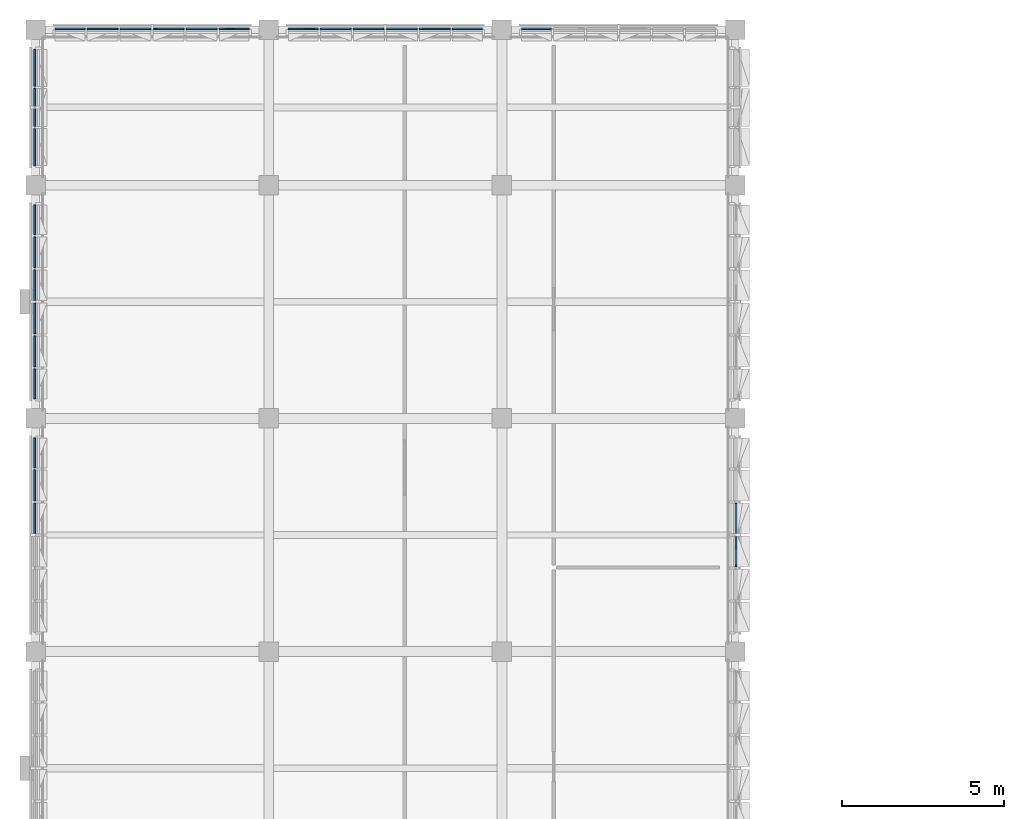
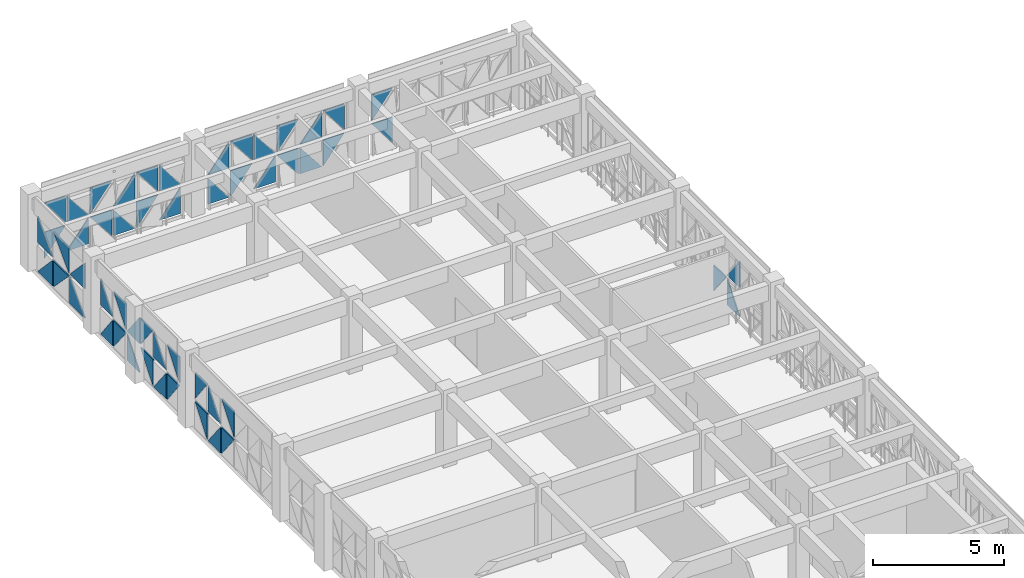
# One storey, part 35 of 74: 53 plates, 7 elements without a shape of their own.
"""IFC4 building model written with IfcOpenShell, lengths in metres."""

from ifc_helpers import new_model, si_unit, direction, frame, origin, place, context, subcontext, project, spatial, polyline, outline, extrude, material, layer, layer_set, type_object, element, aggregate, save


model = new_model("IFC4")

# Units and contexts
model_context = context("Model", 3, precision=1e-05, world=origin(), true_north=direction((0.0, 1.0)))
body_context = subcontext(model_context, "Body", "Model", "MODEL_VIEW")
ifc_project = project(units=[si_unit("LENGTHUNIT", "METRE"), si_unit("AREAUNIT", "SQUARE_METRE"), si_unit("VOLUMEUNIT", "CUBIC_METRE"), si_unit("PLANEANGLEUNIT", "RADIAN"), si_unit("MASSUNIT", "GRAM", prefix="KILO")], contexts=[model_context])

# Site, building, storey
site_placement = place(None, origin())
site = spatial("IfcSite", under=ifc_project, at=site_placement, CompositionType="ELEMENT")
building_placement = place(site_placement, origin())
building = spatial("IfcBuilding", under=site, at=building_placement, Name="Alvorim Cloister Faculty of Sciences", CompositionType="ELEMENT")
storey_placement = place(building_placement, frame((0.0, 0.0, 15.75)))
storey = spatial("IfcBuildingStorey", under=building, at=storey_placement, Name="L04", CompositionType="ELEMENT", Elevation=15.75)

# Curtain wall, plates
ifc_material_1 = material(Name="Aluminium and Low-E Glass Curtain Wall", Category="aluminium")
curtain_wall_type_1 = type_object("IfcCurtainWallType", Name="CW-TRI-6120x2850", PredefinedType="USERDEFINED", material=ifc_material_1)
curtain_wall_1_placement = place(storey_placement, origin())
curtain_wall_1 = element("IfcCurtainWall", 1, at=curtain_wall_1_placement, inside=storey, type_object=curtain_wall_type_1, Name="L04 Diagonal Cassette Curtain Wall CW-0175", ObjectType="UNITISED CURTAIN WALL", PredefinedType="USERDEFINED")
ifc_material_2 = material(Name="Double Low-E Laminated Glass", Category="glass")
ifc_layer = layer(ifc_material_2, 0.0400390625)
ifc_layer_set = layer_set([ifc_layer], Name="Double Low-E Laminated Glass")
plate_type = type_object("IfcPlateType", Name="PN-GLZ-40", PredefinedType="CURTAIN_PANEL", material=ifc_layer_set)
plate_1_placement = place(storey_placement, frame((-0.02490234375, 96.032470703125, 0.139892578125), z_axis=(0.0, 0.0, 1.0), x_axis=(0.0, 1.0, 0.0)))
plate_1 = element("IfcPlate", 2, at=plate_1_placement, type_object=plate_type, Name="Diagonal Glazed Triangle TRI-TR", PredefinedType="CURTAIN_PANEL", context=body_context, shape_type="SweptSolid", body=[
    extrude(outline(polyline([(0.955078125, 0.001953125), (0.955078125, 1.215087890625), (0.001953125, 1.215087890625), (0.955078125, 0.001953125)])), frame((0.0, 0.02490234375, 0.0), z_axis=(0.0, -1.0, 0.0), x_axis=(1.0, 0.0, 0.0)), (0.0, 0.0, 1.0), 0.050048828125),
])
plate_2_placement = place(storey_placement, frame((-0.02490234375, 96.032470703125, 1.4951171875), z_axis=(0.0, 0.0, 1.0), x_axis=(0.0, 1.0, 0.0)))
plate_2 = element("IfcPlate", 3, at=plate_2_placement, type_object=plate_type, Name="Diagonal Glazed Triangle TRI-TL", PredefinedType="CURTAIN_PANEL", context=body_context, shape_type="SweptSolid", body=[
    extrude(outline(polyline([(0.953125, 1.21484375), (0.0, 1.21484375), (0.0, 0.001953125), (0.953125, 1.21484375)])), frame((0.0, 0.02490234375, 0.0), z_axis=(0.0, -1.0, 0.0), x_axis=(1.0, 0.0, 0.0)), (0.0, 0.0, 1.0), 0.050048828125),
])
plate_3_placement = place(storey_placement, frame((-0.02490234375, 97.052490234375, 0.139892578125), z_axis=(0.0, 0.0, 1.0), x_axis=(0.0, 1.0, 0.0)))
plate_3 = element("IfcPlate", 4, at=plate_3_placement, type_object=plate_type, Name="Diagonal Glazed Triangle TRI-BL", PredefinedType="CURTAIN_PANEL", context=body_context, shape_type="SweptSolid", body=[
    extrude(outline(polyline([(0.0, 0.0), (0.953125, 0.0), (0.0, 1.213134765625), (0.0, 0.0)])), frame((0.0, 0.02490234375, 0.0), z_axis=(0.0, -1.0, 0.0), x_axis=(1.0, 0.0, 0.0)), (0.0, 0.0, 1.0), 0.050048828125),
])
plate_4_placement = place(storey_placement, frame((-0.02490234375, 97.052490234375, 1.4951171875), z_axis=(0.0, 0.0, 1.0), x_axis=(0.0, 1.0, 0.0)))
plate_4 = element("IfcPlate", 5, at=plate_4_placement, type_object=plate_type, Name="Diagonal Glazed Triangle TRI-BR", PredefinedType="CURTAIN_PANEL", context=body_context, shape_type="SweptSolid", body=[
    extrude(outline(polyline([(0.001953125, 0.0), (0.955078125, 0.0), (0.955078125, 1.212890625), (0.001953125, 0.0)])), frame((0.0, 0.02490234375, 0.0), z_axis=(0.0, -1.0, 0.0), x_axis=(1.0, 0.0, 0.0)), (0.0, 0.0, 1.0), 0.050048828125),
])
plate_5_placement = place(storey_placement, frame((-0.02490234375, 98.072509765625, 0.139892578125), z_axis=(0.0, 0.0, 1.0), x_axis=(0.0, 1.0, 0.0)))
plate_5 = element("IfcPlate", 6, at=plate_5_placement, type_object=plate_type, Name="Diagonal Glazed Triangle TRI-TL", PredefinedType="CURTAIN_PANEL", context=body_context, shape_type="SweptSolid", body=[
    extrude(outline(polyline([(0.920654296875, 1.215087890625), (0.0, 1.215087890625), (0.0, 0.001953125), (0.920654296875, 1.215087890625)])), frame((0.0, 0.02490234375, 0.0), z_axis=(0.0, -1.0, 0.0), x_axis=(1.0, 0.0, 0.0)), (0.0, 0.0, 1.0), 0.050048828125),
])
plate_6_placement = place(storey_placement, frame((-0.02490234375, 98.072509765625, 1.4951171875), z_axis=(0.0, 0.0, 1.0), x_axis=(0.0, 1.0, 0.0)))
plate_6 = element("IfcPlate", 7, at=plate_6_placement, type_object=plate_type, Name="Diagonal Glazed Triangle TRI-TR", PredefinedType="CURTAIN_PANEL", context=body_context, shape_type="SweptSolid", body=[
    extrude(outline(polyline([(0.922607421875, 0.001953125), (0.922607421875, 1.21484375), (0.001953125, 1.21484375), (0.922607421875, 0.001953125)])), frame((0.0, 0.02490234375, 0.0), z_axis=(0.0, -1.0, 0.0), x_axis=(1.0, 0.0, 0.0)), (0.0, 0.0, 1.0), 0.050048828125),
])
aggregate(curtain_wall_1, [plate_1, plate_2, plate_3, plate_4, plate_5, plate_6])

curtain_wall_2_placement = place(storey_placement, origin())
curtain_wall_2 = element("IfcCurtainWall", 8, at=curtain_wall_2_placement, inside=storey, type_object=curtain_wall_type_1, Name="L04 Diagonal Cassette Curtain Wall CW-0176", ObjectType="UNITISED CURTAIN WALL", PredefinedType="USERDEFINED")
plate_7_placement = place(storey_placement, frame((-0.02490234375, 100.205078125, 0.139892578125), z_axis=(0.0, 0.0, 1.0), x_axis=(0.0, 1.0, 0.0)))
plate_7 = element("IfcPlate", 9, at=plate_7_placement, type_object=plate_type, Name="Diagonal Glazed Triangle TRI-TR", PredefinedType="CURTAIN_PANEL", context=body_context, shape_type="SweptSolid", body=[
    extrude(outline(polyline([(0.922607421875, 0.001953125), (0.922607421875, 1.215087890625), (0.001953125, 1.215087890625), (0.922607421875, 0.001953125)])), frame((0.0, 0.02490234375, 0.0), z_axis=(0.0, -1.0, 0.0), x_axis=(1.0, 0.0, 0.0)), (0.0, 0.0, 1.0), 0.050048828125),
])
plate_8_placement = place(storey_placement, frame((-0.02490234375, 100.205078125, 1.4951171875), z_axis=(0.0, 0.0, 1.0), x_axis=(0.0, 1.0, 0.0)))
plate_8 = element("IfcPlate", 10, at=plate_8_placement, type_object=plate_type, Name="Diagonal Glazed Triangle TRI-TL", PredefinedType="CURTAIN_PANEL", context=body_context, shape_type="SweptSolid", body=[
    extrude(outline(polyline([(0.920654296875, 1.21484375), (0.0, 1.21484375), (0.0, 0.001953125), (0.920654296875, 1.21484375)])), frame((0.0, 0.02490234375, 0.0), z_axis=(0.0, -1.0, 0.0), x_axis=(1.0, 0.0, 0.0)), (0.0, 0.0, 1.0), 0.050048828125),
])
plate_9_placement = place(storey_placement, frame((-0.02490234375, 101.1923828125, 0.139892578125), z_axis=(0.0, 0.0, 1.0), x_axis=(0.0, 1.0, 0.0)))
plate_9 = element("IfcPlate", 11, at=plate_9_placement, type_object=plate_type, Name="Diagonal Glazed Triangle TRI-BL", PredefinedType="CURTAIN_PANEL", context=body_context, shape_type="SweptSolid", body=[
    extrude(outline(polyline([(0.0, 0.0), (0.953125, 0.0), (0.0, 1.213134765625), (0.0, 0.0)])), frame((0.0, 0.02490234375, 0.0), z_axis=(0.0, -1.0, 0.0), x_axis=(1.0, 0.0, 0.0)), (0.0, 0.0, 1.0), 0.050048828125),
])
plate_10_placement = place(storey_placement, frame((-0.02490234375, 101.1923828125, 1.4951171875), z_axis=(0.0, 0.0, 1.0), x_axis=(0.0, 1.0, 0.0)))
plate_10 = element("IfcPlate", 12, at=plate_10_placement, type_object=plate_type, Name="Diagonal Glazed Triangle TRI-BR", PredefinedType="CURTAIN_PANEL", context=body_context, shape_type="SweptSolid", body=[
    extrude(outline(polyline([(0.001953125, 0.0), (0.955078125, 0.0), (0.955078125, 1.212890625), (0.001953125, 0.0)])), frame((0.0, 0.02490234375, 0.0), z_axis=(0.0, -1.0, 0.0), x_axis=(1.0, 0.0, 0.0)), (0.0, 0.0, 1.0), 0.050048828125),
])
plate_11_placement = place(storey_placement, frame((-0.02490234375, 102.21240234375, 0.139892578125), z_axis=(0.0, 0.0, 1.0), x_axis=(0.0, 1.0, 0.0)))
plate_11 = element("IfcPlate", 13, at=plate_11_placement, type_object=plate_type, Name="Diagonal Glazed Triangle TRI-TL", PredefinedType="CURTAIN_PANEL", context=body_context, shape_type="SweptSolid", body=[
    extrude(outline(polyline([(0.953125, 1.215087890625), (0.0, 1.215087890625), (0.0, 0.001953125), (0.953125, 1.215087890625)])), frame((0.0, 0.02490234375, 0.0), z_axis=(0.0, -1.0, 0.0), x_axis=(1.0, 0.0, 0.0)), (0.0, 0.0, 1.0), 0.050048828125),
])
plate_12_placement = place(storey_placement, frame((-0.02490234375, 102.21240234375, 1.4951171875), z_axis=(0.0, 0.0, 1.0), x_axis=(0.0, 1.0, 0.0)))
plate_12 = element("IfcPlate", 14, at=plate_12_placement, type_object=plate_type, Name="Diagonal Glazed Triangle TRI-TR", PredefinedType="CURTAIN_PANEL", context=body_context, shape_type="SweptSolid", body=[
    extrude(outline(polyline([(0.955078125, 0.001953125), (0.955078125, 1.21484375), (0.001953125, 1.21484375), (0.955078125, 0.001953125)])), frame((0.0, 0.02490234375, 0.0), z_axis=(0.0, -1.0, 0.0), x_axis=(1.0, 0.0, 0.0)), (0.0, 0.0, 1.0), 0.050048828125),
])
plate_13_placement = place(storey_placement, frame((-0.02490234375, 103.232421875, 0.139892578125), z_axis=(0.0, 0.0, 1.0), x_axis=(0.0, 1.0, 0.0)))
plate_13 = element("IfcPlate", 15, at=plate_13_placement, type_object=plate_type, Name="Diagonal Glazed Triangle TRI-BR", PredefinedType="CURTAIN_PANEL", context=body_context, shape_type="SweptSolid", body=[
    extrude(outline(polyline([(0.001953125, 0.0), (0.955078125, 0.0), (0.955078125, 1.213134765625), (0.001953125, 0.0)])), frame((0.0, 0.02490234375, 0.0), z_axis=(0.0, -1.0, 0.0), x_axis=(1.0, 0.0, 0.0)), (0.0, 0.0, 1.0), 0.050048828125),
])
plate_14_placement = place(storey_placement, frame((-0.02490234375, 103.232421875, 1.4951171875), z_axis=(0.0, 0.0, 1.0), x_axis=(0.0, 1.0, 0.0)))
plate_14 = element("IfcPlate", 16, at=plate_14_placement, type_object=plate_type, Name="Diagonal Glazed Triangle TRI-BL", PredefinedType="CURTAIN_PANEL", context=body_context, shape_type="SweptSolid", body=[
    extrude(outline(polyline([(0.0, 0.0), (0.953125, 0.0), (0.0, 1.212890625), (0.0, 0.0)])), frame((0.0, 0.02490234375, 0.0), z_axis=(0.0, -1.0, 0.0), x_axis=(1.0, 0.0, 0.0)), (0.0, 0.0, 1.0), 0.050048828125),
])
plate_15_placement = place(storey_placement, frame((-0.02490234375, 104.25244140625, 0.139892578125), z_axis=(0.0, 0.0, 1.0), x_axis=(0.0, 1.0, 0.0)))
plate_15 = element("IfcPlate", 17, at=plate_15_placement, type_object=plate_type, Name="Diagonal Glazed Triangle TRI-TR", PredefinedType="CURTAIN_PANEL", context=body_context, shape_type="SweptSolid", body=[
    extrude(outline(polyline([(0.955078125, 0.001953125), (0.955078125, 1.215087890625), (0.001953125, 1.215087890625), (0.955078125, 0.001953125)])), frame((0.0, 0.02490234375, 0.0), z_axis=(0.0, -1.0, 0.0), x_axis=(1.0, 0.0, 0.0)), (0.0, 0.0, 1.0), 0.050048828125),
])
plate_16_placement = place(storey_placement, frame((-0.02490234375, 104.25244140625, 1.4951171875), z_axis=(0.0, 0.0, 1.0), x_axis=(0.0, 1.0, 0.0)))
plate_16 = element("IfcPlate", 18, at=plate_16_placement, type_object=plate_type, Name="Diagonal Glazed Triangle TRI-TL", PredefinedType="CURTAIN_PANEL", context=body_context, shape_type="SweptSolid", body=[
    extrude(outline(polyline([(0.953125, 1.21484375), (0.0, 1.21484375), (0.0, 0.001953125), (0.953125, 1.21484375)])), frame((0.0, 0.02490234375, 0.0), z_axis=(0.0, -1.0, 0.0), x_axis=(1.0, 0.0, 0.0)), (0.0, 0.0, 1.0), 0.050048828125),
])
plate_17_placement = place(storey_placement, frame((-0.02490234375, 105.2724609375, 0.139892578125), z_axis=(0.0, 0.0, 1.0), x_axis=(0.0, 1.0, 0.0)))
plate_17 = element("IfcPlate", 19, at=plate_17_placement, type_object=plate_type, Name="Diagonal Glazed Triangle TRI-BL", PredefinedType="CURTAIN_PANEL", context=body_context, shape_type="SweptSolid", body=[
    extrude(outline(polyline([(0.0, 0.0), (0.920654296875, 0.0), (0.0, 1.213134765625), (0.0, 0.0)])), frame((0.0, 0.02490234375, 0.0), z_axis=(0.0, -1.0, 0.0), x_axis=(1.0, 0.0, 0.0)), (0.0, 0.0, 1.0), 0.050048828125),
])
plate_18_placement = place(storey_placement, frame((-0.02490234375, 105.2724609375, 1.4951171875), z_axis=(0.0, 0.0, 1.0), x_axis=(0.0, 1.0, 0.0)))
plate_18 = element("IfcPlate", 20, at=plate_18_placement, type_object=plate_type, Name="Diagonal Glazed Triangle TRI-BR", PredefinedType="CURTAIN_PANEL", context=body_context, shape_type="SweptSolid", body=[
    extrude(outline(polyline([(0.001953125, 0.0), (0.922607421875, 0.0), (0.922607421875, 1.212890625), (0.001953125, 0.0)])), frame((0.0, 0.02490234375, 0.0), z_axis=(0.0, -1.0, 0.0), x_axis=(1.0, 0.0, 0.0)), (0.0, 0.0, 1.0), 0.050048828125),
])
aggregate(curtain_wall_2, [plate_7, plate_8, plate_9, plate_10, plate_11, plate_12, plate_13, plate_14, plate_15, plate_16, plate_17, plate_18])

curtain_wall_type_2 = type_object("IfcCurtainWallType", Name="CW-TRI-3720x2850", PredefinedType="USERDEFINED", material=ifc_material_1)
curtain_wall_3_placement = place(storey_placement, origin())
curtain_wall_3 = element("IfcCurtainWall", 21, at=curtain_wall_3_placement, inside=storey, type_object=curtain_wall_type_2, Name="L04 Diagonal Cassette Curtain Wall CW-0177", ObjectType="UNITISED CURTAIN WALL", PredefinedType="USERDEFINED")
plate_19_placement = place(storey_placement, frame((-0.02490234375, 107.405029296875, 0.139892578125), z_axis=(0.0, 0.0, 1.0), x_axis=(0.0, 1.0, 0.0)))
plate_19 = element("IfcPlate", 22, at=plate_19_placement, type_object=plate_type, Name="Diagonal Glazed Triangle TRI-BR", PredefinedType="CURTAIN_PANEL", context=body_context, shape_type="SweptSolid", body=[
    extrude(outline(polyline([(0.001953125, 0.0), (1.142578125, 0.0), (1.142578125, 1.213134765625), (0.001953125, 0.0)])), frame((0.0, 0.02490234375, 0.0), z_axis=(0.0, -1.0, 0.0), x_axis=(1.0, 0.0, 0.0)), (0.0, 0.0, 1.0), 0.050048828125),
])
plate_20_placement = place(storey_placement, frame((-0.02490234375, 107.405029296875, 1.4951171875), z_axis=(0.0, 0.0, 1.0), x_axis=(0.0, 1.0, 0.0)))
plate_20 = element("IfcPlate", 23, at=plate_20_placement, type_object=plate_type, Name="Diagonal Glazed Triangle TRI-BL", PredefinedType="CURTAIN_PANEL", context=body_context, shape_type="SweptSolid", body=[
    extrude(outline(polyline([(0.0, 0.0), (1.140625, 0.0), (0.0, 1.212890625), (0.0, 0.0)])), frame((0.0, 0.02490234375, 0.0), z_axis=(0.0, -1.0, 0.0), x_axis=(1.0, 0.0, 0.0)), (0.0, 0.0, 1.0), 0.050048828125),
])
plate_21_placement = place(storey_placement, frame((-0.02490234375, 108.612548828125, 0.139892578125), z_axis=(0.0, 0.0, 1.0), x_axis=(0.0, 1.0, 0.0)))
plate_21 = element("IfcPlate", 24, at=plate_21_placement, type_object=plate_type, Name="Diagonal Glazed Triangle TRI-TR", PredefinedType="CURTAIN_PANEL", context=body_context, shape_type="SweptSolid", body=[
    extrude(outline(polyline([(1.175048828125, 0.001953125), (1.175048828125, 1.215087890625), (0.001953125, 1.215087890625), (1.175048828125, 0.001953125)])), frame((0.0, 0.02490234375, 0.0), z_axis=(0.0, -1.0, 0.0), x_axis=(1.0, 0.0, 0.0)), (0.0, 0.0, 1.0), 0.050048828125),
])
plate_22_placement = place(storey_placement, frame((-0.02490234375, 108.612548828125, 1.4951171875), z_axis=(0.0, 0.0, 1.0), x_axis=(0.0, 1.0, 0.0)))
plate_22 = element("IfcPlate", 25, at=plate_22_placement, type_object=plate_type, Name="Diagonal Glazed Triangle TRI-TL", PredefinedType="CURTAIN_PANEL", context=body_context, shape_type="SweptSolid", body=[
    extrude(outline(polyline([(1.173095703125, 1.21484375), (0.0, 1.21484375), (0.0, 0.001953125), (1.173095703125, 1.21484375)])), frame((0.0, 0.02490234375, 0.0), z_axis=(0.0, -1.0, 0.0), x_axis=(1.0, 0.0, 0.0)), (0.0, 0.0, 1.0), 0.050048828125),
])
plate_23_placement = place(storey_placement, frame((-0.02490234375, 109.8525390625, 0.139892578125), z_axis=(0.0, 0.0, 1.0), x_axis=(0.0, 1.0, 0.0)))
plate_23 = element("IfcPlate", 26, at=plate_23_placement, type_object=plate_type, Name="Diagonal Glazed Triangle TRI-BL", PredefinedType="CURTAIN_PANEL", context=body_context, shape_type="SweptSolid", body=[
    extrude(outline(polyline([(0.0, 0.0), (1.140625, 0.0), (0.0, 1.213134765625), (0.0, 0.0)])), frame((0.0, 0.02490234375, 0.0), z_axis=(0.0, -1.0, 0.0), x_axis=(1.0, 0.0, 0.0)), (0.0, 0.0, 1.0), 0.050048828125),
])
plate_24_placement = place(storey_placement, frame((-0.02490234375, 109.8525390625, 1.4951171875), z_axis=(0.0, 0.0, 1.0), x_axis=(0.0, 1.0, 0.0)))
plate_24 = element("IfcPlate", 27, at=plate_24_placement, type_object=plate_type, Name="Diagonal Glazed Triangle TRI-BR", PredefinedType="CURTAIN_PANEL", context=body_context, shape_type="SweptSolid", body=[
    extrude(outline(polyline([(0.001953125, 0.0), (1.142578125, 0.0), (1.142578125, 1.212890625), (0.001953125, 0.0)])), frame((0.0, 0.02490234375, 0.0), z_axis=(0.0, -1.0, 0.0), x_axis=(1.0, 0.0, 0.0)), (0.0, 0.0, 1.0), 0.050048828125),
])
aggregate(curtain_wall_3, [plate_19, plate_20, plate_21, plate_22, plate_23, plate_24])

curtain_wall_4_placement = place(storey_placement, origin())
curtain_wall_4 = element("IfcCurtainWall", 28, at=curtain_wall_4_placement, inside=storey, type_object=curtain_wall_type_1, Name="L04 Diagonal Cassette Curtain Wall CW-0178", ObjectType="UNITISED CURTAIN WALL", PredefinedType="USERDEFINED")
plate_25_placement = place(storey_placement, frame((0.60498046875, 111.625, 0.139892578125), z_axis=(0.0, 0.0, 1.0), x_axis=(1.0, 0.0, 0.0)))
plate_25 = element("IfcPlate", 29, at=plate_25_placement, type_object=plate_type, Name="Diagonal Glazed Triangle TRI-TL", PredefinedType="CURTAIN_PANEL", context=body_context, shape_type="SweptSolid", body=[
    extrude(outline(polyline([(0.920654296875, 1.215087890625), (0.0, 1.215087890625), (0.0, 0.001953125), (0.920654296875, 1.215087890625)])), frame((0.0, 0.02490234375, 0.0), z_axis=(0.0, -1.0, 0.0), x_axis=(1.0, 0.0, 0.0)), (0.0, 0.0, 1.0), 0.050048828125),
])
plate_26_placement = place(storey_placement, frame((0.60498046875, 111.625, 1.4951171875), z_axis=(0.0, 0.0, 1.0), x_axis=(1.0, 0.0, 0.0)))
plate_26 = element("IfcPlate", 30, at=plate_26_placement, type_object=plate_type, Name="Diagonal Glazed Triangle TRI-TR", PredefinedType="CURTAIN_PANEL", context=body_context, shape_type="SweptSolid", body=[
    extrude(outline(polyline([(0.922607421875, 0.001953125), (0.922607421875, 1.21484375), (0.001953125, 1.21484375), (0.922607421875, 0.001953125)])), frame((0.0, 0.02490234375, 0.0), z_axis=(0.0, -1.0, 0.0), x_axis=(1.0, 0.0, 0.0)), (0.0, 0.0, 1.0), 0.050048828125),
])
plate_27_placement = place(storey_placement, frame((1.592529296875, 111.625, 0.139892578125), z_axis=(0.0, 0.0, 1.0), x_axis=(1.0, 0.0, 0.0)))
plate_27 = element("IfcPlate", 31, at=plate_27_placement, type_object=plate_type, Name="Diagonal Glazed Triangle TRI-BR", PredefinedType="CURTAIN_PANEL", context=body_context, shape_type="SweptSolid", body=[
    extrude(outline(polyline([(0.001953125, 0.0), (0.955078125, 0.0), (0.955078125, 1.213134765625), (0.001953125, 0.0)])), frame((0.0, 0.02490234375, 0.0), z_axis=(0.0, -1.0, 0.0), x_axis=(1.0, 0.0, 0.0)), (0.0, 0.0, 1.0), 0.050048828125),
])
plate_28_placement = place(storey_placement, frame((1.592529296875, 111.625, 1.4951171875), z_axis=(0.0, 0.0, 1.0), x_axis=(1.0, 0.0, 0.0)))
plate_28 = element("IfcPlate", 32, at=plate_28_placement, type_object=plate_type, Name="Diagonal Glazed Triangle TRI-BL", PredefinedType="CURTAIN_PANEL", context=body_context, shape_type="SweptSolid", body=[
    extrude(outline(polyline([(0.0, 0.0), (0.953125, 0.0), (0.0, 1.212890625), (0.0, 0.0)])), frame((0.0, 0.02490234375, 0.0), z_axis=(0.0, -1.0, 0.0), x_axis=(1.0, 0.0, 0.0)), (0.0, 0.0, 1.0), 0.050048828125),
])
plate_29_placement = place(storey_placement, frame((2.612548828125, 111.625, 0.139892578125), z_axis=(0.0, 0.0, 1.0), x_axis=(1.0, 0.0, 0.0)))
plate_29 = element("IfcPlate", 33, at=plate_29_placement, type_object=plate_type, Name="Diagonal Glazed Triangle TRI-TR", PredefinedType="CURTAIN_PANEL", context=body_context, shape_type="SweptSolid", body=[
    extrude(outline(polyline([(0.955078125, 0.001953125), (0.955078125, 1.215087890625), (0.001953125, 1.215087890625), (0.955078125, 0.001953125)])), frame((0.0, 0.02490234375, 0.0), z_axis=(0.0, -1.0, 0.0), x_axis=(1.0, 0.0, 0.0)), (0.0, 0.0, 1.0), 0.050048828125),
])
plate_30_placement = place(storey_placement, frame((2.612548828125, 111.625, 1.4951171875), z_axis=(0.0, 0.0, 1.0), x_axis=(1.0, 0.0, 0.0)))
plate_30 = element("IfcPlate", 34, at=plate_30_placement, type_object=plate_type, Name="Diagonal Glazed Triangle TRI-TL", PredefinedType="CURTAIN_PANEL", context=body_context, shape_type="SweptSolid", body=[
    extrude(outline(polyline([(0.953125, 1.21484375), (0.0, 1.21484375), (0.0, 0.001953125), (0.953125, 1.21484375)])), frame((0.0, 0.02490234375, 0.0), z_axis=(0.0, -1.0, 0.0), x_axis=(1.0, 0.0, 0.0)), (0.0, 0.0, 1.0), 0.050048828125),
])
plate_31_placement = place(storey_placement, frame((3.632568359375, 111.625, 0.139892578125), z_axis=(0.0, 0.0, 1.0), x_axis=(1.0, 0.0, 0.0)))
plate_31 = element("IfcPlate", 35, at=plate_31_placement, type_object=plate_type, Name="Diagonal Glazed Triangle TRI-BL", PredefinedType="CURTAIN_PANEL", context=body_context, shape_type="SweptSolid", body=[
    extrude(outline(polyline([(0.0, 0.0), (0.953125, 0.0), (0.0, 1.213134765625), (0.0, 0.0)])), frame((0.0, 0.02490234375, 0.0), z_axis=(0.0, -1.0, 0.0), x_axis=(1.0, 0.0, 0.0)), (0.0, 0.0, 1.0), 0.050048828125),
])
plate_32_placement = place(storey_placement, frame((3.632568359375, 111.625, 1.4951171875), z_axis=(0.0, 0.0, 1.0), x_axis=(1.0, 0.0, 0.0)))
plate_32 = element("IfcPlate", 36, at=plate_32_placement, type_object=plate_type, Name="Diagonal Glazed Triangle TRI-BR", PredefinedType="CURTAIN_PANEL", context=body_context, shape_type="SweptSolid", body=[
    extrude(outline(polyline([(0.001953125, 0.0), (0.955078125, 0.0), (0.955078125, 1.212890625), (0.001953125, 0.0)])), frame((0.0, 0.02490234375, 0.0), z_axis=(0.0, -1.0, 0.0), x_axis=(1.0, 0.0, 0.0)), (0.0, 0.0, 1.0), 0.050048828125),
])
plate_33_placement = place(storey_placement, frame((4.652587890625, 111.625, 0.139892578125), z_axis=(0.0, 0.0, 1.0), x_axis=(1.0, 0.0, 0.0)))
plate_33 = element("IfcPlate", 37, at=plate_33_placement, type_object=plate_type, Name="Diagonal Glazed Triangle TRI-TL", PredefinedType="CURTAIN_PANEL", context=body_context, shape_type="SweptSolid", body=[
    extrude(outline(polyline([(0.953125, 1.215087890625), (0.0, 1.215087890625), (0.0, 0.001953125), (0.953125, 1.215087890625)])), frame((0.0, 0.02490234375, 0.0), z_axis=(0.0, -1.0, 0.0), x_axis=(1.0, 0.0, 0.0)), (0.0, 0.0, 1.0), 0.050048828125),
])
plate_34_placement = place(storey_placement, frame((4.652587890625, 111.625, 1.4951171875), z_axis=(0.0, 0.0, 1.0), x_axis=(1.0, 0.0, 0.0)))
plate_34 = element("IfcPlate", 38, at=plate_34_placement, type_object=plate_type, Name="Diagonal Glazed Triangle TRI-TR", PredefinedType="CURTAIN_PANEL", context=body_context, shape_type="SweptSolid", body=[
    extrude(outline(polyline([(0.955078125, 0.001953125), (0.955078125, 1.21484375), (0.001953125, 1.21484375), (0.955078125, 0.001953125)])), frame((0.0, 0.02490234375, 0.0), z_axis=(0.0, -1.0, 0.0), x_axis=(1.0, 0.0, 0.0)), (0.0, 0.0, 1.0), 0.050048828125),
])
plate_35_placement = place(storey_placement, frame((5.672607421875, 111.625, 0.139892578125), z_axis=(0.0, 0.0, 1.0), x_axis=(1.0, 0.0, 0.0)))
plate_35 = element("IfcPlate", 39, at=plate_35_placement, type_object=plate_type, Name="Diagonal Glazed Triangle TRI-BR", PredefinedType="CURTAIN_PANEL", context=body_context, shape_type="SweptSolid", body=[
    extrude(outline(polyline([(0.001953125, 0.0), (0.922607421875, 0.0), (0.922607421875, 1.213134765625), (0.001953125, 0.0)])), frame((0.0, 0.02490234375, 0.0), z_axis=(0.0, -1.0, 0.0), x_axis=(1.0, 0.0, 0.0)), (0.0, 0.0, 1.0), 0.050048828125),
])
plate_36_placement = place(storey_placement, frame((5.672607421875, 111.625, 1.4951171875), z_axis=(0.0, 0.0, 1.0), x_axis=(1.0, 0.0, 0.0)))
plate_36 = element("IfcPlate", 40, at=plate_36_placement, type_object=plate_type, Name="Diagonal Glazed Triangle TRI-BL", PredefinedType="CURTAIN_PANEL", context=body_context, shape_type="SweptSolid", body=[
    extrude(outline(polyline([(0.0, 0.0), (0.920654296875, 0.0), (0.0, 1.212890625), (0.0, 0.0)])), frame((0.0, 0.02490234375, 0.0), z_axis=(0.0, -1.0, 0.0), x_axis=(1.0, 0.0, 0.0)), (0.0, 0.0, 1.0), 0.050048828125),
])
aggregate(curtain_wall_4, [plate_25, plate_26, plate_27, plate_28, plate_29, plate_30, plate_31, plate_32, plate_33, plate_34, plate_35, plate_36])

curtain_wall_5_placement = place(storey_placement, origin())
curtain_wall_5 = element("IfcCurtainWall", 41, at=curtain_wall_5_placement, inside=storey, type_object=curtain_wall_type_1, Name="L04 Diagonal Cassette Curtain Wall CW-0179", ObjectType="UNITISED CURTAIN WALL", PredefinedType="USERDEFINED")
plate_37_placement = place(storey_placement, frame((7.804931640625, 111.625, 0.139892578125), z_axis=(0.0, 0.0, 1.0), x_axis=(1.0, 0.0, 0.0)))
plate_37 = element("IfcPlate", 42, at=plate_37_placement, type_object=plate_type, Name="Diagonal Glazed Triangle TRI-BL", PredefinedType="CURTAIN_PANEL", context=body_context, shape_type="SweptSolid", body=[
    extrude(outline(polyline([(0.0, 0.0), (0.920654296875, 0.0), (0.0, 1.213134765625), (0.0, 0.0)])), frame((0.0, 0.02490234375, 0.0), z_axis=(0.0, -1.0, 0.0), x_axis=(1.0, 0.0, 0.0)), (0.0, 0.0, 1.0), 0.050048828125),
])
plate_38_placement = place(storey_placement, frame((7.804931640625, 111.625, 1.4951171875), z_axis=(0.0, 0.0, 1.0), x_axis=(1.0, 0.0, 0.0)))
plate_38 = element("IfcPlate", 43, at=plate_38_placement, type_object=plate_type, Name="Diagonal Glazed Triangle TRI-BR", PredefinedType="CURTAIN_PANEL", context=body_context, shape_type="SweptSolid", body=[
    extrude(outline(polyline([(0.001953125, 0.0), (0.922607421875, 0.0), (0.922607421875, 1.212890625), (0.001953125, 0.0)])), frame((0.0, 0.02490234375, 0.0), z_axis=(0.0, -1.0, 0.0), x_axis=(1.0, 0.0, 0.0)), (0.0, 0.0, 1.0), 0.050048828125),
])
plate_39_placement = place(storey_placement, frame((8.79248046875, 111.625, 0.139892578125), z_axis=(0.0, 0.0, 1.0), x_axis=(1.0, 0.0, 0.0)))
plate_39 = element("IfcPlate", 44, at=plate_39_placement, type_object=plate_type, Name="Diagonal Glazed Triangle TRI-TL", PredefinedType="CURTAIN_PANEL", context=body_context, shape_type="SweptSolid", body=[
    extrude(outline(polyline([(0.953125, 1.215087890625), (0.0, 1.215087890625), (0.0, 0.001953125), (0.953125, 1.215087890625)])), frame((0.0, 0.02490234375, 0.0), z_axis=(0.0, -1.0, 0.0), x_axis=(1.0, 0.0, 0.0)), (0.0, 0.0, 1.0), 0.050048828125),
])
plate_40_placement = place(storey_placement, frame((8.79248046875, 111.625, 1.4951171875), z_axis=(0.0, 0.0, 1.0), x_axis=(1.0, 0.0, 0.0)))
plate_40 = element("IfcPlate", 45, at=plate_40_placement, type_object=plate_type, Name="Diagonal Glazed Triangle TRI-TR", PredefinedType="CURTAIN_PANEL", context=body_context, shape_type="SweptSolid", body=[
    extrude(outline(polyline([(0.955078125, 0.001953125), (0.955078125, 1.21484375), (0.001953125, 1.21484375), (0.955078125, 0.001953125)])), frame((0.0, 0.02490234375, 0.0), z_axis=(0.0, -1.0, 0.0), x_axis=(1.0, 0.0, 0.0)), (0.0, 0.0, 1.0), 0.050048828125),
])
plate_41_placement = place(storey_placement, frame((9.8125, 111.625, 0.139892578125), z_axis=(0.0, 0.0, 1.0), x_axis=(1.0, 0.0, 0.0)))
plate_41 = element("IfcPlate", 46, at=plate_41_placement, type_object=plate_type, Name="Diagonal Glazed Triangle TRI-BR", PredefinedType="CURTAIN_PANEL", context=body_context, shape_type="SweptSolid", body=[
    extrude(outline(polyline([(0.001953125, 0.0), (0.955078125, 0.0), (0.955078125, 1.213134765625), (0.001953125, 0.0)])), frame((0.0, 0.02490234375, 0.0), z_axis=(0.0, -1.0, 0.0), x_axis=(1.0, 0.0, 0.0)), (0.0, 0.0, 1.0), 0.050048828125),
])
plate_42_placement = place(storey_placement, frame((9.8125, 111.625, 1.4951171875), z_axis=(0.0, 0.0, 1.0), x_axis=(1.0, 0.0, 0.0)))
plate_42 = element("IfcPlate", 47, at=plate_42_placement, type_object=plate_type, Name="Diagonal Glazed Triangle TRI-BL", PredefinedType="CURTAIN_PANEL", context=body_context, shape_type="SweptSolid", body=[
    extrude(outline(polyline([(0.0, 0.0), (0.953125, 0.0), (0.0, 1.212890625), (0.0, 0.0)])), frame((0.0, 0.02490234375, 0.0), z_axis=(0.0, -1.0, 0.0), x_axis=(1.0, 0.0, 0.0)), (0.0, 0.0, 1.0), 0.050048828125),
])
plate_43_placement = place(storey_placement, frame((10.83251953125, 111.625, 0.139892578125), z_axis=(0.0, 0.0, 1.0), x_axis=(1.0, 0.0, 0.0)))
plate_43 = element("IfcPlate", 48, at=plate_43_placement, type_object=plate_type, Name="Diagonal Glazed Triangle TRI-TR", PredefinedType="CURTAIN_PANEL", context=body_context, shape_type="SweptSolid", body=[
    extrude(outline(polyline([(0.955078125, 0.001953125), (0.955078125, 1.215087890625), (0.001953125, 1.215087890625), (0.955078125, 0.001953125)])), frame((0.0, 0.02490234375, 0.0), z_axis=(0.0, -1.0, 0.0), x_axis=(1.0, 0.0, 0.0)), (0.0, 0.0, 1.0), 0.050048828125),
])
plate_44_placement = place(storey_placement, frame((10.83251953125, 111.625, 1.4951171875), z_axis=(0.0, 0.0, 1.0), x_axis=(1.0, 0.0, 0.0)))
plate_44 = element("IfcPlate", 49, at=plate_44_placement, type_object=plate_type, Name="Diagonal Glazed Triangle TRI-TL", PredefinedType="CURTAIN_PANEL", context=body_context, shape_type="SweptSolid", body=[
    extrude(outline(polyline([(0.953125, 1.21484375), (0.0, 1.21484375), (0.0, 0.001953125), (0.953125, 1.21484375)])), frame((0.0, 0.02490234375, 0.0), z_axis=(0.0, -1.0, 0.0), x_axis=(1.0, 0.0, 0.0)), (0.0, 0.0, 1.0), 0.050048828125),
])
plate_45_placement = place(storey_placement, frame((11.8525390625, 111.625, 0.139892578125), z_axis=(0.0, 0.0, 1.0), x_axis=(1.0, 0.0, 0.0)))
plate_45 = element("IfcPlate", 50, at=plate_45_placement, type_object=plate_type, Name="Diagonal Glazed Triangle TRI-BL", PredefinedType="CURTAIN_PANEL", context=body_context, shape_type="SweptSolid", body=[
    extrude(outline(polyline([(0.0, 0.0), (0.953125, 0.0), (0.0, 1.213134765625), (0.0, 0.0)])), frame((0.0, 0.02490234375, 0.0), z_axis=(0.0, -1.0, 0.0), x_axis=(1.0, 0.0, 0.0)), (0.0, 0.0, 1.0), 0.050048828125),
])
plate_46_placement = place(storey_placement, frame((11.8525390625, 111.625, 1.4951171875), z_axis=(0.0, 0.0, 1.0), x_axis=(1.0, 0.0, 0.0)))
plate_46 = element("IfcPlate", 51, at=plate_46_placement, type_object=plate_type, Name="Diagonal Glazed Triangle TRI-BR", PredefinedType="CURTAIN_PANEL", context=body_context, shape_type="SweptSolid", body=[
    extrude(outline(polyline([(0.001953125, 0.0), (0.955078125, 0.0), (0.955078125, 1.212890625), (0.001953125, 0.0)])), frame((0.0, 0.02490234375, 0.0), z_axis=(0.0, -1.0, 0.0), x_axis=(1.0, 0.0, 0.0)), (0.0, 0.0, 1.0), 0.050048828125),
])
plate_47_placement = place(storey_placement, frame((12.87255859375, 111.625, 0.139892578125), z_axis=(0.0, 0.0, 1.0), x_axis=(1.0, 0.0, 0.0)))
plate_47 = element("IfcPlate", 52, at=plate_47_placement, type_object=plate_type, Name="Diagonal Glazed Triangle TRI-TL", PredefinedType="CURTAIN_PANEL", context=body_context, shape_type="SweptSolid", body=[
    extrude(outline(polyline([(0.920654296875, 1.215087890625), (0.0, 1.215087890625), (0.0, 0.001953125), (0.920654296875, 1.215087890625)])), frame((0.0, 0.02490234375, 0.0), z_axis=(0.0, -1.0, 0.0), x_axis=(1.0, 0.0, 0.0)), (0.0, 0.0, 1.0), 0.050048828125),
])
plate_48_placement = place(storey_placement, frame((12.87255859375, 111.625, 1.4951171875), z_axis=(0.0, 0.0, 1.0), x_axis=(1.0, 0.0, 0.0)))
plate_48 = element("IfcPlate", 53, at=plate_48_placement, type_object=plate_type, Name="Diagonal Glazed Triangle TRI-TR", PredefinedType="CURTAIN_PANEL", context=body_context, shape_type="SweptSolid", body=[
    extrude(outline(polyline([(0.922607421875, 0.001953125), (0.922607421875, 1.21484375), (0.001953125, 1.21484375), (0.922607421875, 0.001953125)])), frame((0.0, 0.02490234375, 0.0), z_axis=(0.0, -1.0, 0.0), x_axis=(1.0, 0.0, 0.0)), (0.0, 0.0, 1.0), 0.050048828125),
])
aggregate(curtain_wall_5, [plate_37, plate_38, plate_39, plate_40, plate_41, plate_42, plate_43, plate_44, plate_45, plate_46, plate_47, plate_48])

curtain_wall_6_placement = place(storey_placement, origin())
curtain_wall_6 = element("IfcCurtainWall", 54, at=curtain_wall_6_placement, inside=storey, type_object=curtain_wall_type_1, Name="L04 Diagonal Cassette Curtain Wall CW-0180", ObjectType="UNITISED CURTAIN WALL", PredefinedType="USERDEFINED")
plate_49_placement = place(storey_placement, frame((15.0048828125, 111.625, 0.139892578125), z_axis=(0.0, 0.0, 1.0), x_axis=(1.0, 0.0, 0.0)))
plate_49 = element("IfcPlate", 55, at=plate_49_placement, type_object=plate_type, Name="Diagonal Glazed Triangle TRI-TR", PredefinedType="CURTAIN_PANEL", context=body_context, shape_type="SweptSolid", body=[
    extrude(outline(polyline([(0.922607421875, 0.001953125), (0.922607421875, 1.215087890625), (0.001953125, 1.215087890625), (0.922607421875, 0.001953125)])), frame((0.0, 0.02490234375, 0.0), z_axis=(0.0, -1.0, 0.0), x_axis=(1.0, 0.0, 0.0)), (0.0, 0.0, 1.0), 0.050048828125),
])
plate_50_placement = place(storey_placement, frame((15.0048828125, 111.625, 1.4951171875), z_axis=(0.0, 0.0, 1.0), x_axis=(1.0, 0.0, 0.0)))
plate_50 = element("IfcPlate", 56, at=plate_50_placement, type_object=plate_type, Name="Diagonal Glazed Triangle TRI-TL", PredefinedType="CURTAIN_PANEL", context=body_context, shape_type="SweptSolid", body=[
    extrude(outline(polyline([(0.920654296875, 1.21484375), (0.0, 1.21484375), (0.0, 0.001953125), (0.920654296875, 1.21484375)])), frame((0.0, 0.02490234375, 0.0), z_axis=(0.0, -1.0, 0.0), x_axis=(1.0, 0.0, 0.0)), (0.0, 0.0, 1.0), 0.050048828125),
])
aggregate(curtain_wall_6, [plate_49, plate_50])

curtain_wall_7_placement = place(storey_placement, origin())
curtain_wall_7 = element("IfcCurtainWall", 57, at=curtain_wall_7_placement, inside=storey, type_object=curtain_wall_type_1, Name="L04 Diagonal Cassette Curtain Wall CW-0183", ObjectType="UNITISED CURTAIN WALL", PredefinedType="USERDEFINED")
plate_51_placement = place(storey_placement, frame((21.625, 95.012451171875, 0.139892578125), z_axis=(0.0, 0.0, 1.0), x_axis=(0.0, 1.0, 0.0)))
plate_51 = element("IfcPlate", 58, at=plate_51_placement, type_object=plate_type, Name="Diagonal Glazed Triangle TRI-BR", PredefinedType="CURTAIN_PANEL", context=body_context, shape_type="SweptSolid", body=[
    extrude(outline(polyline([(0.001953125, 0.0), (0.955078125, 0.0), (0.955078125, 1.213134765625), (0.001953125, 0.0)])), frame((0.0, 0.02490234375, 0.0), z_axis=(0.0, -1.0, 0.0), x_axis=(1.0, 0.0, 0.0)), (0.0, 0.0, 1.0), 0.050048828125),
])
plate_52_placement = place(storey_placement, frame((21.625, 95.012451171875, 1.4951171875), z_axis=(0.0, 0.0, 1.0), x_axis=(0.0, 1.0, 0.0)))
plate_52 = element("IfcPlate", 59, at=plate_52_placement, type_object=plate_type, Name="Diagonal Glazed Triangle TRI-BL", PredefinedType="CURTAIN_PANEL", context=body_context, shape_type="SweptSolid", body=[
    extrude(outline(polyline([(0.0, 0.0), (0.953125, 0.0), (0.0, 1.212890625), (0.0, 0.0)])), frame((0.0, 0.02490234375, 0.0), z_axis=(0.0, -1.0, 0.0), x_axis=(1.0, 0.0, 0.0)), (0.0, 0.0, 1.0), 0.050048828125),
])
plate_53_placement = place(storey_placement, frame((21.625, 96.032470703125, 0.139892578125), z_axis=(0.0, 0.0, 1.0), x_axis=(0.0, 1.0, 0.0)))
plate_53 = element("IfcPlate", 60, at=plate_53_placement, type_object=plate_type, Name="Diagonal Glazed Triangle TRI-TR", PredefinedType="CURTAIN_PANEL", context=body_context, shape_type="SweptSolid", body=[
    extrude(outline(polyline([(0.955078125, 0.001953125), (0.955078125, 1.215087890625), (0.001953125, 1.215087890625), (0.955078125, 0.001953125)])), frame((0.0, 0.02490234375, 0.0), z_axis=(0.0, -1.0, 0.0), x_axis=(1.0, 0.0, 0.0)), (0.0, 0.0, 1.0), 0.050048828125),
])
aggregate(curtain_wall_7, [plate_51, plate_52, plate_53])

save(model, "model.ifc")
